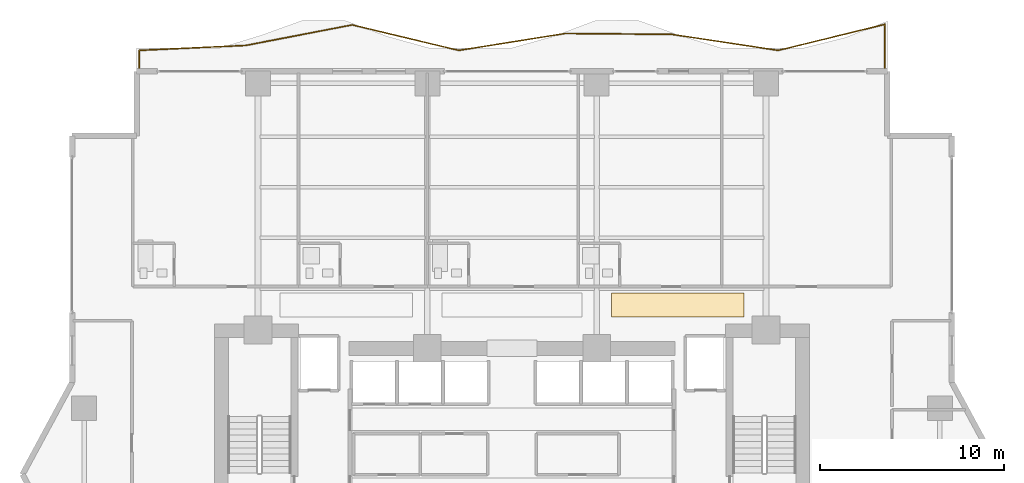
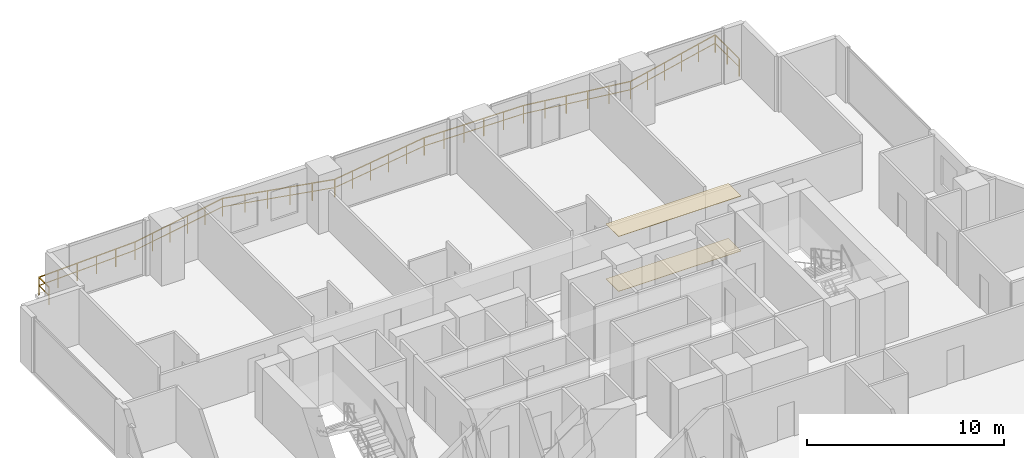
# One storey, part 26 of 27: 2 coverings, 1 railing.
"""IFC4 building model written with IfcOpenShell, lengths in metres."""

from ifc_helpers import new_model, si_unit, direction, frame, origin, origin_2d, place, context, subcontext, project, spatial, polyline, rectangle, outline, extrude, material, layer, layer_set, type_object, element, save


model = new_model("IFC4")

# Units and contexts
model_context = context("Model", 3, precision=1e-05, world=origin(), true_north=direction((0.0, 1.0)))
body_context = subcontext(model_context, "Body", "Model", "MODEL_VIEW")
ifc_project = project(units=[si_unit("LENGTHUNIT", "METRE"), si_unit("AREAUNIT", "SQUARE_METRE"), si_unit("VOLUMEUNIT", "CUBIC_METRE"), si_unit("PLANEANGLEUNIT", "RADIAN"), si_unit("MASSUNIT", "GRAM", prefix="KILO")], contexts=[model_context])

# Site, building, storey
site_placement = place(None, origin())
site = spatial("IfcSite", under=ifc_project, at=site_placement, CompositionType="ELEMENT")
building_placement = place(site_placement, origin())
building = spatial("IfcBuilding", under=site, at=building_placement, Name="Zuhayl Quay Hotel", CompositionType="ELEMENT")
storey_placement = place(building_placement, frame((0.0, 0.0, 124.85009765625)))
storey = spatial("IfcBuildingStorey", under=building, at=storey_placement, Name="L31", CompositionType="ELEMENT", Elevation=124.85009765625)

# Coverings
ifc_material_1 = material(Name="Acoustic Mineral-Fibre Gypsum Board")
ifc_layer_1 = layer(ifc_material_1, 0.02490234375, Name="Acoustic Mineral-Fibre Gypsum Board")
ifc_layer_set_1 = layer_set([ifc_layer_1], Name="Acoustic Mineral-Fibre Gypsum Board")
covering_type_1 = type_object("IfcCoveringType", Name="CV_CEIL_ACOUSTIC", PredefinedType="CEILING", material=ifc_layer_set_1)
covering_1_placement = place(storey_placement, frame((0.0, 0.0, 3.40478515625)))
element("IfcCovering", 1, at=covering_1_placement, inside=storey, type_object=covering_type_1, Name="L31 Guest Corridor Acoustic Ceiling CE", PredefinedType="CEILING", context=body_context, shape_type="SweptSolid", body=[
    extrude(outline(polyline([(5.39990234375, 15.050048828125), (12.60009765625, 15.050048828125), (12.60009765625, 16.35009765625), (5.39990234375, 16.35009765625), (5.39990234375, 15.050048828125)])), origin(), (0.0, 0.0, 1.0), 0.025146484375),
])
ifc_material_2 = material(Name="Polished Limestone Terrazzo", Category="masonry")
ifc_layer_2 = layer(ifc_material_2, 0.02001953125, Name="Polished Limestone Terrazzo", Category="masonry")
ifc_layer_set_2 = layer_set([ifc_layer_2], Name="Polished Limestone Terrazzo")
covering_type_2 = type_object("IfcCoveringType", Name="CV_FLOOR_TERRAZZO", PredefinedType="FLOORING", material=ifc_layer_set_2)
covering_2_placement = place(storey_placement, origin())
element("IfcCovering", 2, at=covering_2_placement, inside=storey, type_object=covering_type_2, Name="L31 Guest Corridor Terrazzo Runner CE", PredefinedType="FLOORING", context=body_context, shape_type="SweptSolid", body=[
    extrude(outline(polyline([(5.39990234375, 15.050048828125), (12.60009765625, 15.050048828125), (12.60009765625, 16.35009765625), (5.39990234375, 16.35009765625), (5.39990234375, 15.050048828125)])), origin(), (0.0, 0.0, 1.0), 0.02001953125),
])

# Railing
ifc_material_3 = material(Name="Anodised Aluminium and Laminated Glass", Category="aluminium")
railing_type = type_object("IfcRailingType", Name="RL_EXT_BAL_1100", PredefinedType="BALUSTRADE", material=ifc_material_3)
railing_placement = place(storey_placement, frame((-20.260009765625, 28.52001953125, 0.0)))
element("IfcRailing", 3, at=railing_placement, inside=storey, type_object=railing_type, Name="L31 Balcony and Terrace Guard GR_L31_BAL_N", PredefinedType="BALUSTRADE", context=body_context, shape_type="SweptSolid", body=[
    extrude(rectangle(XDim=0.048095703125, YDim=0.048095703125, at=origin_2d()), frame((0.0, 0.0, 1.09619140625), z_axis=(0.0, 1.0, 0.0), x_axis=(-1.0, 0.0, 0.0)), (0.0, 0.0, 1.0), 1.02001953125),
    extrude(rectangle(XDim=0.0361328125, YDim=0.0361328125, at=origin_2d()), frame((0.0, 0.0, 0.58251953125), z_axis=(0.0, 1.0, 0.0), x_axis=(-1.0, 0.0, 0.0)), (0.0, 0.0, 1.0), 1.02001953125),
    extrude(rectangle(XDim=0.048095703125, YDim=0.048095703125, at=origin_2d()), frame((0.0, 1.02001953125, 1.09619140625), z_axis=(0.998917720193, 0.046512238005, 0.0), x_axis=(-0.046512238005, 0.998917720193, 0.0)), (0.0, 0.0, 1.0), 5.794921875),
    extrude(rectangle(XDim=0.0361328125, YDim=0.0361328125, at=origin_2d()), frame((0.0, 1.02001953125, 0.58251953125), z_axis=(0.998917720193, 0.046512238005, 0.0), x_axis=(-0.046512238005, 0.998917720193, 0.0)), (0.0, 0.0, 1.0), 5.794921875),
    extrude(rectangle(XDim=0.048095703125, YDim=0.048095703125, at=origin_2d()), frame((5.78857421875, 1.28955078125, 1.09619140625), z_axis=(0.981911207534, 0.189341967138, 0.0), x_axis=(-0.189341967138, 0.981911207534, 0.0)), (0.0, 0.0, 1.0), 5.895263671875),
    extrude(rectangle(XDim=0.0361328125, YDim=0.0361328125, at=origin_2d()), frame((5.78857421875, 1.28955078125, 0.58251953125), z_axis=(0.981911207534, 0.189341967138, 0.0), x_axis=(-0.189341967138, 0.981911207534, 0.0)), (0.0, 0.0, 1.0), 5.895263671875),
    extrude(rectangle(XDim=0.048095703125, YDim=0.048095703125, at=origin_2d()), frame((11.5771484375, 2.40576171875, 1.09619140625), z_axis=(0.972521177091, -0.232814432778, 0.0), x_axis=(0.232814432778, 0.972521177091, 0.0)), (0.0, 0.0, 1.0), 5.9521484375),
    extrude(rectangle(XDim=0.0361328125, YDim=0.0361328125, at=origin_2d()), frame((11.5771484375, 2.40576171875, 0.58251953125), z_axis=(0.972521177091, -0.232814432778, 0.0), x_axis=(0.232814432778, 0.972521177091, 0.0)), (0.0, 0.0, 1.0), 5.9521484375),
    extrude(rectangle(XDim=0.048095703125, YDim=0.048095703125, at=origin_2d()), frame((17.36572265625, 1.02001953125, 1.09619140625), z_axis=(0.98759998161, 0.15699132563, 0.0), x_axis=(-0.15699132563, 0.98759998161, 0.0)), (0.0, 0.0, 1.0), 5.861328125),
    extrude(rectangle(XDim=0.0361328125, YDim=0.0361328125, at=origin_2d()), frame((17.36572265625, 1.02001953125, 0.58251953125), z_axis=(0.98759998161, 0.15699132563, 0.0), x_axis=(-0.15699132563, 0.98759998161, 0.0)), (0.0, 0.0, 1.0), 5.861328125),
    extrude(rectangle(XDim=0.048095703125, YDim=0.048095703125, at=origin_2d()), frame((23.154296875, 1.940185546875, 1.09619140625), z_axis=(0.999964068479, -0.008477131074, 0.0), x_axis=(0.008477131074, 0.999964068479, 0.0)), (0.0, 0.0, 1.0), 5.788818359375),
    extrude(rectangle(XDim=0.0361328125, YDim=0.0361328125, at=origin_2d()), frame((23.154296875, 1.940185546875, 0.58251953125), z_axis=(0.999964068479, -0.008477131074, 0.0), x_axis=(0.008477131074, 0.999964068479, 0.0)), (0.0, 0.0, 1.0), 5.788818359375),
    extrude(rectangle(XDim=0.048095703125, YDim=0.048095703125, at=origin_2d()), frame((28.94287109375, 1.89111328125, 1.09619140625), z_axis=(0.988865880685, -0.148809509164, 0.0), x_axis=(0.148809509164, 0.988865880685, 0.0)), (0.0, 0.0, 1.0), 5.853759765625),
    extrude(rectangle(XDim=0.0361328125, YDim=0.0361328125, at=origin_2d()), frame((28.94287109375, 1.89111328125, 0.58251953125), z_axis=(0.988865880685, -0.148809509164, 0.0), x_axis=(0.148809509164, 0.988865880685, 0.0)), (0.0, 0.0, 1.0), 5.853759765625),
    extrude(rectangle(XDim=0.048095703125, YDim=0.048095703125, at=origin_2d()), frame((34.7314453125, 1.02001953125, 1.09619140625), z_axis=(0.971340178954, 0.237693619498, 0.0), x_axis=(-0.237693619498, 0.971340178954, 0.0)), (0.0, 0.0, 1.0), 5.95947265625),
    extrude(rectangle(XDim=0.0361328125, YDim=0.0361328125, at=origin_2d()), frame((34.7314453125, 1.02001953125, 0.58251953125), z_axis=(0.971340178954, 0.237693619498, 0.0), x_axis=(-0.237693619498, 0.971340178954, 0.0)), (0.0, 0.0, 1.0), 5.95947265625),
    extrude(rectangle(XDim=0.048095703125, YDim=0.048095703125, at=origin_2d()), frame((40.52001953125, 2.4365234375, 1.09619140625), z_axis=(0.0, -1.0, 0.0), x_axis=(1.0, 0.0, 0.0)), (0.0, 0.0, 1.0), 2.4365234375),
    extrude(rectangle(XDim=0.0361328125, YDim=0.0361328125, at=origin_2d()), frame((40.52001953125, 2.4365234375, 0.58251953125), z_axis=(0.0, -1.0, 0.0), x_axis=(1.0, 0.0, 0.0)), (0.0, 0.0, 1.0), 2.4365234375),
    extrude(rectangle(XDim=0.0419921875, YDim=0.0419921875, at=origin_2d()), origin(), (0.0, 0.0, 1.0), 1.072021484375),
    extrude(rectangle(XDim=0.0419921875, YDim=0.0419921875, at=origin_2d()), frame((0.0, 1.02001953125, 0.0)), (0.0, 0.0, 1.0), 1.072021484375),
    extrude(rectangle(XDim=0.0419921875, YDim=0.0419921875, at=origin_2d()), frame((1.15771484375, 1.073974609375, 0.0)), (0.0, 0.0, 1.0), 1.072021484375),
    extrude(rectangle(XDim=0.0419921875, YDim=0.0419921875, at=origin_2d()), frame((2.3154296875, 1.1279296875, 0.0)), (0.0, 0.0, 1.0), 1.072021484375),
    extrude(rectangle(XDim=0.0419921875, YDim=0.0419921875, at=origin_2d()), frame((3.47314453125, 1.181640625, 0.0)), (0.0, 0.0, 1.0), 1.072021484375),
    extrude(rectangle(XDim=0.0419921875, YDim=0.0419921875, at=origin_2d()), frame((4.630859375, 1.235595703125, 0.0)), (0.0, 0.0, 1.0), 1.072021484375),
    extrude(rectangle(XDim=0.0419921875, YDim=0.0419921875, at=origin_2d()), frame((5.78857421875, 1.28955078125, 0.0)), (0.0, 0.0, 1.0), 1.072021484375),
    extrude(rectangle(XDim=0.0419921875, YDim=0.0419921875, at=origin_2d()), frame((6.9462890625, 1.5126953125, 0.0)), (0.0, 0.0, 1.0), 1.072021484375),
    extrude(rectangle(XDim=0.0419921875, YDim=0.0419921875, at=origin_2d()), frame((8.10400390625, 1.736083984375, 0.0)), (0.0, 0.0, 1.0), 1.072021484375),
    extrude(rectangle(XDim=0.0419921875, YDim=0.0419921875, at=origin_2d()), frame((9.26171875, 1.959228515625, 0.0)), (0.0, 0.0, 1.0), 1.072021484375),
    extrude(rectangle(XDim=0.0419921875, YDim=0.0419921875, at=origin_2d()), frame((10.41943359375, 2.1826171875, 0.0)), (0.0, 0.0, 1.0), 1.072021484375),
    extrude(rectangle(XDim=0.0419921875, YDim=0.0419921875, at=origin_2d()), frame((11.5771484375, 2.40576171875, 0.0)), (0.0, 0.0, 1.0), 1.072021484375),
    extrude(rectangle(XDim=0.0419921875, YDim=0.0419921875, at=origin_2d()), frame((12.73486328125, 2.128662109375, 0.0)), (0.0, 0.0, 1.0), 1.072021484375),
    extrude(rectangle(XDim=0.0419921875, YDim=0.0419921875, at=origin_2d()), frame((13.892578125, 1.8515625, 0.0)), (0.0, 0.0, 1.0), 1.072021484375),
    extrude(rectangle(XDim=0.0419921875, YDim=0.0419921875, at=origin_2d()), frame((15.05029296875, 1.57421875, 0.0)), (0.0, 0.0, 1.0), 1.072021484375),
    extrude(rectangle(XDim=0.0419921875, YDim=0.0419921875, at=origin_2d()), frame((16.2080078125, 1.297119140625, 0.0)), (0.0, 0.0, 1.0), 1.072021484375),
    extrude(rectangle(XDim=0.0419921875, YDim=0.0419921875, at=origin_2d()), frame((17.36572265625, 1.02001953125, 0.0)), (0.0, 0.0, 1.0), 1.072021484375),
    extrude(rectangle(XDim=0.0419921875, YDim=0.0419921875, at=origin_2d()), frame((18.5234375, 1.2041015625, 0.0)), (0.0, 0.0, 1.0), 1.072021484375),
    extrude(rectangle(XDim=0.0419921875, YDim=0.0419921875, at=origin_2d()), frame((19.68115234375, 1.38818359375, 0.0)), (0.0, 0.0, 1.0), 1.072021484375),
    extrude(rectangle(XDim=0.0419921875, YDim=0.0419921875, at=origin_2d()), frame((20.8388671875, 1.572021484375, 0.0)), (0.0, 0.0, 1.0), 1.072021484375),
    extrude(rectangle(XDim=0.0419921875, YDim=0.0419921875, at=origin_2d()), frame((21.99658203125, 1.756103515625, 0.0)), (0.0, 0.0, 1.0), 1.072021484375),
    extrude(rectangle(XDim=0.0419921875, YDim=0.0419921875, at=origin_2d()), frame((23.154296875, 1.940185546875, 0.0)), (0.0, 0.0, 1.0), 1.072021484375),
    extrude(rectangle(XDim=0.0419921875, YDim=0.0419921875, at=origin_2d()), frame((24.31201171875, 1.930419921875, 0.0)), (0.0, 0.0, 1.0), 1.072021484375),
    extrude(rectangle(XDim=0.0419921875, YDim=0.0419921875, at=origin_2d()), frame((25.4697265625, 1.920654296875, 0.0)), (0.0, 0.0, 1.0), 1.072021484375),
    extrude(rectangle(XDim=0.0419921875, YDim=0.0419921875, at=origin_2d()), frame((26.62744140625, 1.91064453125, 0.0)), (0.0, 0.0, 1.0), 1.072021484375),
    extrude(rectangle(XDim=0.0419921875, YDim=0.0419921875, at=origin_2d()), frame((27.78515625, 1.90087890625, 0.0)), (0.0, 0.0, 1.0), 1.072021484375),
    extrude(rectangle(XDim=0.0419921875, YDim=0.0419921875, at=origin_2d()), frame((28.94287109375, 1.89111328125, 0.0)), (0.0, 0.0, 1.0), 1.072021484375),
    extrude(rectangle(XDim=0.0419921875, YDim=0.0419921875, at=origin_2d()), frame((30.1005859375, 1.716796875, 0.0)), (0.0, 0.0, 1.0), 1.072021484375),
    extrude(rectangle(XDim=0.0419921875, YDim=0.0419921875, at=origin_2d()), frame((31.25830078125, 1.542724609375, 0.0)), (0.0, 0.0, 1.0), 1.072021484375),
    extrude(rectangle(XDim=0.0419921875, YDim=0.0419921875, at=origin_2d()), frame((32.416015625, 1.368408203125, 0.0)), (0.0, 0.0, 1.0), 1.072021484375),
    extrude(rectangle(XDim=0.0419921875, YDim=0.0419921875, at=origin_2d()), frame((33.57373046875, 1.1943359375, 0.0)), (0.0, 0.0, 1.0), 1.072021484375),
    extrude(rectangle(XDim=0.0419921875, YDim=0.0419921875, at=origin_2d()), frame((34.7314453125, 1.02001953125, 0.0)), (0.0, 0.0, 1.0), 1.072021484375),
    extrude(rectangle(XDim=0.0419921875, YDim=0.0419921875, at=origin_2d()), frame((35.88916015625, 1.30322265625, 0.0)), (0.0, 0.0, 1.0), 1.072021484375),
    extrude(rectangle(XDim=0.0419921875, YDim=0.0419921875, at=origin_2d()), frame((37.046875, 1.586669921875, 0.0)), (0.0, 0.0, 1.0), 1.072021484375),
    extrude(rectangle(XDim=0.0419921875, YDim=0.0419921875, at=origin_2d()), frame((38.20458984375, 1.869873046875, 0.0)), (0.0, 0.0, 1.0), 1.072021484375),
    extrude(rectangle(XDim=0.0419921875, YDim=0.0419921875, at=origin_2d()), frame((39.3623046875, 2.1533203125, 0.0)), (0.0, 0.0, 1.0), 1.072021484375),
    extrude(rectangle(XDim=0.0419921875, YDim=0.0419921875, at=origin_2d()), frame((40.52001953125, 2.4365234375, 0.0)), (0.0, 0.0, 1.0), 1.072021484375),
    extrude(rectangle(XDim=0.0419921875, YDim=0.0419921875, at=origin_2d()), frame((40.52001953125, 1.21826171875, 0.0)), (0.0, 0.0, 1.0), 1.072021484375),
    extrude(rectangle(XDim=0.0419921875, YDim=0.0419921875, at=origin_2d()), frame((40.52001953125, 0.0, 0.0)), (0.0, 0.0, 1.0), 1.072021484375),
])

save(model, "model.ifc")
